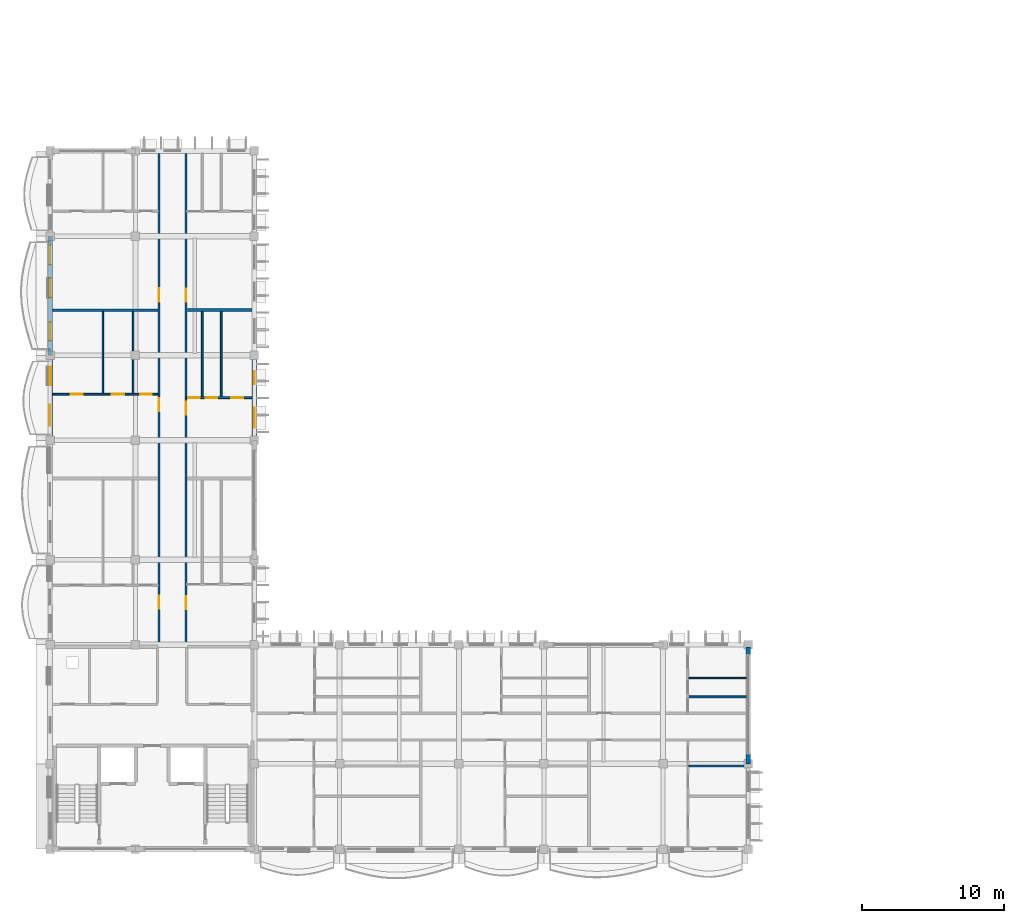
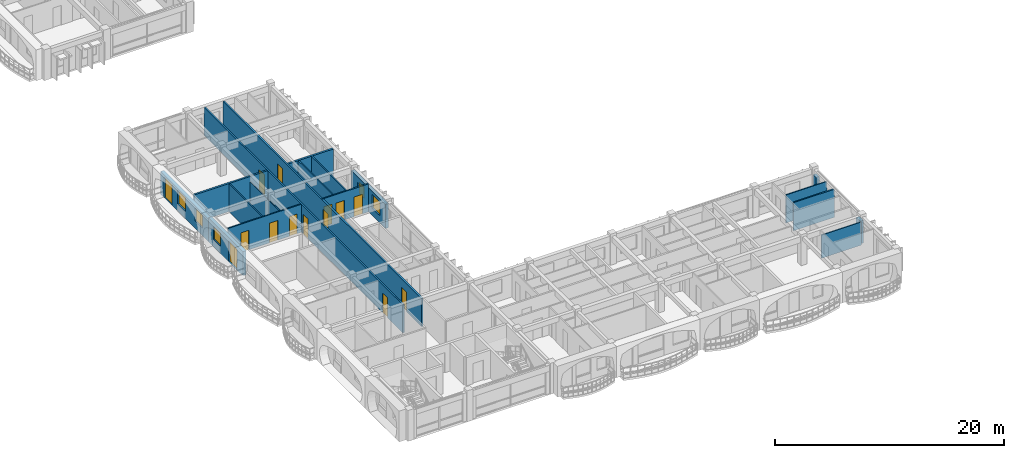
# One storey, part 29 of 79: 18 walls, 14 doors, 5 windows, 19 openings.
"""IFC4 building model written with IfcOpenShell, lengths in metres."""

from ifc_helpers import new_model, si_unit, direction, frame, frame_2d, origin, place, context, subcontext, project, spatial, rectangle, extrude, material, layer, layer_set, type_object, element, fill, save


model = new_model("IFC4")

# Units and contexts
model_context = context("Model", 3, precision=1e-05, world=origin(), true_north=direction((0.0, 1.0)))
body_context = subcontext(model_context, "Body", "Model", "MODEL_VIEW")
ifc_project = project(units=[si_unit("LENGTHUNIT", "METRE"), si_unit("AREAUNIT", "SQUARE_METRE"), si_unit("VOLUMEUNIT", "CUBIC_METRE"), si_unit("PLANEANGLEUNIT", "RADIAN"), si_unit("MASSUNIT", "GRAM", prefix="KILO"), si_unit("THERMODYNAMICTEMPERATUREUNIT", "KELVIN")], contexts=[model_context])

# Site, building, storey
site_placement = place(None, origin())
site = spatial("IfcSite", under=ifc_project, at=site_placement, CompositionType="ELEMENT")
building_placement = place(site_placement, origin())
building = spatial("IfcBuilding", under=site, at=building_placement, Name="Thalorik Housing Commons", CompositionType="ELEMENT")
storey_placement = place(building_placement, frame((0.0, 0.0, 11.39990234375)))
storey = spatial("IfcBuildingStorey", under=building, at=storey_placement, Name="L03", CompositionType="ELEMENT", Elevation=11.39990234375)

# Wall, openings, doors
ifc_material_1 = material(Name="Masonry fire-rated corridor wall", Category="masonry")
ifc_layer_1 = layer(ifc_material_1, 0.14990234375, Name="Masonry fire-rated corridor wall", Category="masonry")
ifc_layer_set_1 = layer_set([ifc_layer_1], Name="Masonry fire-rated corridor wall")
wall_type_1 = type_object("IfcWallType", Name="ARC-WAL-CORR-150", PredefinedType="PARTITIONING", material=ifc_layer_set_1)
wall_1_placement = place(storey_placement, frame((16.080078125, 22.659912109375, 0.0), z_axis=(0.0, 0.0, 1.0), x_axis=(0.0, 1.0, 0.0)))
wall_1 = element("IfcWall", 1, at=wall_1_placement, inside=storey, type_object=wall_type_1, Name="L03 Block C W Corridor Wall 1", PredefinedType="PARTITIONING", context=body_context, shape_type="SweptSolid", body=[
    extrude(rectangle(XDim=34.7705078125, YDim=0.14990234375, at=frame_2d((17.38525390625, 0.0))), origin(), (0.0, 0.0, 1.0), 3.0),
])
opening_1_placement = place(wall_1_placement, frame((2.671630859375, 0.0, 0.0)))
opening_1 = element("IfcOpeningElement", 2, at=opening_1_placement, cuts=wall_1, Name="Opening ID-1668", PredefinedType="OPENING", context=body_context, shape_type="SweptSolid", body=[
    extrude(rectangle(XDim=0.919921875, YDim=2.10009765625, at=frame_2d((0.4599609375, 1.050048828125))), frame((0.0, 0.0849609375, 0.0), z_axis=(0.0, -1.0, 0.0), x_axis=(1.0, 0.0, 0.0)), (0.0, 0.0, 1.0), 0.169921875),
])
opening_2_placement = place(wall_1_placement, frame((16.580078125, 0.0, 0.0)))
opening_2 = element("IfcOpeningElement", 3, at=opening_2_placement, cuts=wall_1, Name="Opening ID-1669", PredefinedType="OPENING", context=body_context, shape_type="SweptSolid", body=[
    extrude(rectangle(XDim=0.919921875, YDim=2.10009765625, at=frame_2d((0.4599609375, 1.050048828125))), frame((0.0, 0.0849609375, 0.0), z_axis=(0.0, -1.0, 0.0), x_axis=(1.0, 0.0, 0.0)), (0.0, 0.0, 1.0), 0.169921875),
])
opening_3_placement = place(wall_1_placement, frame((24.31494140625, 0.0, 0.0)))
opening_3 = element("IfcOpeningElement", 4, at=opening_3_placement, cuts=wall_1, Name="Opening ID-1670", PredefinedType="OPENING", context=body_context, shape_type="SweptSolid", body=[
    extrude(rectangle(XDim=0.9599609375, YDim=2.1201171875, at=frame_2d((0.47998046875, 1.06005859375))), frame((0.0, 0.0849609375, 0.0), z_axis=(0.0, -1.0, 0.0), x_axis=(1.0, 0.0, 0.0)), (0.0, 0.0, 1.0), 0.169921875),
])
ifc_material_2 = material(Name="Solid core hardwood timber", Category="wood")
door_type_1 = type_object("IfcDoorType", Name="ARC-DR-FD30-920", OperationType="NOTDEFINED", PredefinedType="DOOR", material=ifc_material_2)
door_1_placement = place(opening_1_placement, origin())
door_1 = element("IfcDoor", 5, at=door_1_placement, inside=storey, type_object=door_type_1, Name="L03 Flat CW-1A Entrance Door", OperationType="SINGLE_SWING_LEFT", OverallHeight=2.10009765625, OverallWidth=0.919921875, PredefinedType="DOOR", context=body_context, shape_type="SweptSolid", body=[
    extrude(rectangle(XDim=0.919921875, YDim=2.10009765625, at=frame_2d((0.4599609375, 1.050048828125))), frame((0.0, 0.02490234375, 0.0), z_axis=(0.0, -1.0, 0.0), x_axis=(1.0, 0.0, 0.0)), (0.0, 0.0, 1.0), 0.050048828125),
])
fill(opening_1, door_1)
door_2_placement = place(opening_2_placement, origin())
door_2 = element("IfcDoor", 6, at=door_2_placement, inside=storey, type_object=door_type_1, Name="L03 Flat CW-2A Entrance Door", OperationType="SINGLE_SWING_RIGHT", OverallHeight=2.10009765625, OverallWidth=0.919921875, PredefinedType="DOOR", context=body_context, shape_type="SweptSolid", body=[
    extrude(rectangle(XDim=0.919921875, YDim=2.10009765625, at=frame_2d((0.4599609375, 1.050048828125))), frame((0.0, 0.02490234375, 0.0), z_axis=(0.0, -1.0, 0.0), x_axis=(1.0, 0.0, 0.0)), (0.0, 0.0, 1.0), 0.050048828125),
])
fill(opening_2, door_2)
door_type_2 = type_object("IfcDoorType", Name="ARC-DR-FD30-960", OperationType="NOTDEFINED", PredefinedType="DOOR", material=ifc_material_2)
door_3_placement = place(opening_3_placement, origin())
door_3 = element("IfcDoor", 7, at=door_3_placement, inside=storey, type_object=door_type_2, Name="L03 Flat CW-3A Entrance Door", OperationType="SINGLE_SWING_LEFT", OverallHeight=2.1201171875, OverallWidth=0.9599609375, PredefinedType="DOOR", context=body_context, shape_type="SweptSolid", body=[
    extrude(rectangle(XDim=0.9599609375, YDim=2.1201171875, at=frame_2d((0.47998046875, 1.06005859375))), frame((0.0, 0.02490234375, 0.0), z_axis=(0.0, -1.0, 0.0), x_axis=(1.0, 0.0, 0.0)), (0.0, 0.0, 1.0), 0.050048828125),
])
fill(opening_3, door_3)

ifc_layer_2 = layer(ifc_material_1, 0.1650390625, Name="Masonry fire-rated corridor wall", Category="masonry")
ifc_layer_set_2 = layer_set([ifc_layer_2], Name="Masonry fire-rated corridor wall")
wall_type_2 = type_object("IfcWallType", Name="ARC-WAL-CORR-165", PredefinedType="PARTITIONING", material=ifc_layer_set_2)
wall_2_placement = place(storey_placement, frame((17.97998046875, 22.659912109375, 0.0), z_axis=(0.0, 0.0, 1.0), x_axis=(0.0, 1.0, 0.0)))
wall_2 = element("IfcWall", 8, at=wall_2_placement, inside=storey, type_object=wall_type_2, Name="L03 Block C W Corridor Wall 2", PredefinedType="PARTITIONING", context=body_context, shape_type="SweptSolid", body=[
    extrude(rectangle(XDim=34.7705078125, YDim=0.1650390625, at=frame_2d((17.38525390625, 0.0))), origin(), (0.0, 0.0, 1.0), 3.0),
])
opening_4_placement = place(wall_2_placement, frame((2.6328125, 0.0, 0.0)))
opening_4 = element("IfcOpeningElement", 9, at=opening_4_placement, cuts=wall_2, Name="Opening ID-1671", PredefinedType="OPENING", context=body_context, shape_type="SweptSolid", body=[
    extrude(rectangle(XDim=0.919921875, YDim=2.10009765625, at=frame_2d((0.4599609375, 1.050048828125))), frame((0.0, 0.092529296875, 0.0), z_axis=(0.0, -1.0, 0.0), x_axis=(1.0, 0.0, 0.0)), (0.0, 0.0, 1.0), 0.18505859375),
])
opening_5_placement = place(wall_2_placement, frame((16.3427734375, 0.0, 0.0)))
opening_5 = element("IfcOpeningElement", 10, at=opening_5_placement, cuts=wall_2, Name="Opening ID-1672", PredefinedType="OPENING", context=body_context, shape_type="SweptSolid", body=[
    extrude(rectangle(XDim=0.919921875, YDim=2.10009765625, at=frame_2d((0.4599609375, 1.050048828125))), frame((0.0, 0.092529296875, 0.0), z_axis=(0.0, -1.0, 0.0), x_axis=(1.0, 0.0, 0.0)), (0.0, 0.0, 1.0), 0.18505859375),
])
opening_6_placement = place(wall_2_placement, frame((24.3134765625, 0.0, 0.0)))
opening_6 = element("IfcOpeningElement", 11, at=opening_6_placement, cuts=wall_2, Name="Opening ID-1673", PredefinedType="OPENING", context=body_context, shape_type="SweptSolid", body=[
    extrude(rectangle(XDim=0.919921875, YDim=2.10009765625, at=frame_2d((0.4599609375, 1.050048828125))), frame((0.0, 0.092529296875, 0.0), z_axis=(0.0, -1.0, 0.0), x_axis=(1.0, 0.0, 0.0)), (0.0, 0.0, 1.0), 0.18505859375),
])
door_4_placement = place(opening_4_placement, origin())
door_4 = element("IfcDoor", 12, at=door_4_placement, inside=storey, type_object=door_type_1, Name="L03 Flat CW-1B Entrance Door", OperationType="SINGLE_SWING_RIGHT", OverallHeight=2.10009765625, OverallWidth=0.919921875, PredefinedType="DOOR", context=body_context, shape_type="SweptSolid", body=[
    extrude(rectangle(XDim=0.919921875, YDim=2.10009765625, at=frame_2d((0.4599609375, 1.050048828125))), frame((0.0, 0.02490234375, 0.0), z_axis=(0.0, -1.0, 0.0), x_axis=(1.0, 0.0, 0.0)), (0.0, 0.0, 1.0), 0.050048828125),
])
fill(opening_4, door_4)
door_5_placement = place(opening_5_placement, origin())
door_5 = element("IfcDoor", 13, at=door_5_placement, inside=storey, type_object=door_type_1, Name="L03 Flat CW-2B Entrance Door", OperationType="SINGLE_SWING_LEFT", OverallHeight=2.10009765625, OverallWidth=0.919921875, PredefinedType="DOOR", context=body_context, shape_type="SweptSolid", body=[
    extrude(rectangle(XDim=0.919921875, YDim=2.10009765625, at=frame_2d((0.4599609375, 1.050048828125))), frame((0.0, 0.02490234375, 0.0), z_axis=(0.0, -1.0, 0.0), x_axis=(1.0, 0.0, 0.0)), (0.0, 0.0, 1.0), 0.050048828125),
])
fill(opening_5, door_5)
door_6_placement = place(opening_6_placement, origin())
door_6 = element("IfcDoor", 14, at=door_6_placement, inside=storey, type_object=door_type_1, Name="L03 Flat CW-3B Entrance Door", OperationType="SINGLE_SWING_RIGHT", OverallHeight=2.10009765625, OverallWidth=0.919921875, PredefinedType="DOOR", context=body_context, shape_type="SweptSolid", body=[
    extrude(rectangle(XDim=0.919921875, YDim=2.10009765625, at=frame_2d((0.4599609375, 1.050048828125))), frame((0.0, 0.02490234375, 0.0), z_axis=(0.0, -1.0, 0.0), x_axis=(1.0, 0.0, 0.0)), (0.0, 0.0, 1.0), 0.050048828125),
])
fill(opening_6, door_6)

# Wall, openings, windows
ifc_material_3 = material(Name="White precast concrete C40/50", Category="concrete")
ifc_layer_3 = layer(ifc_material_3, 0.3349609375, Name="White precast concrete C40/50", Category="concrete")
ifc_layer_set_3 = layer_set([ifc_layer_3], Name="White precast concrete C40/50")
wall_type_3 = type_object("IfcWallType", Name="ARC-WAL-EXT-335", PredefinedType="STANDARD", material=ifc_layer_set_3)
wall_3_placement = place(storey_placement, frame((22.800048828125, 37.199951171875, 0.0), z_axis=(0.0, 0.0, 1.0), x_axis=(0.0, 1.0, 0.0)))
wall_3 = element("IfcWall", 15, at=wall_3_placement, inside=storey, type_object=wall_type_3, Name="L03 Exterior Wall WAL-EXT-L03-C-0907", PredefinedType="STANDARD", context=body_context, shape_type="SweptSolid", body=[
    extrude(rectangle(XDim=6.0, YDim=0.3349609375, at=frame_2d((3.0, 0.0))), origin(), (0.0, 0.0, 1.0), 2.5751953125),
])
opening_7_placement = place(wall_3_placement, frame((0.9013671875, 0.0, 0.780029296875)))
opening_7 = element("IfcOpeningElement", 16, at=opening_7_placement, cuts=wall_3, Name="Opening W-08", PredefinedType="OPENING", context=body_context, shape_type="SweptSolid", body=[
    extrude(rectangle(XDim=1.39990234375, YDim=1.449951171875, at=frame_2d((0.699951171875, 0.72509765625))), frame((0.0, 0.177490234375, 0.0), z_axis=(0.0, -1.0, 0.0), x_axis=(1.0, 0.0, 0.0)), (0.0, 0.0, 1.0), 0.35498046875),
])
opening_8_placement = place(wall_3_placement, frame((3.96142578125, 0.0, 0.780029296875)))
opening_8 = element("IfcOpeningElement", 17, at=opening_8_placement, cuts=wall_3, Name="Opening W-01", PredefinedType="OPENING", context=body_context, shape_type="SweptSolid", body=[
    extrude(rectangle(XDim=0.89990234375, YDim=1.199951171875, at=frame_2d((0.449951171875, 0.60009765625))), frame((0.0, 0.177490234375, 0.0), z_axis=(0.0, -1.0, 0.0), x_axis=(1.0, 0.0, 0.0)), (0.0, 0.0, 1.0), 0.35498046875),
])
ifc_material_4 = material(Name="Anodised aluminium and solar-control low-E glass", Category="aluminium")
window_type_1 = type_object("IfcWindowType", Name="ARC-WIN-01", PartitioningType="SINGLE_PANEL", PredefinedType="WINDOW", material=ifc_material_4)
window_1_placement = place(opening_8_placement, origin())
window_1 = element("IfcWindow", 18, at=window_1_placement, inside=storey, type_object=window_type_1, Name="L03 Facade Window 1678", OverallHeight=1.199951171875, OverallWidth=0.89990234375, PartitioningType="SINGLE_PANEL", PredefinedType="WINDOW", context=body_context, shape_type="SweptSolid", body=[
    extrude(rectangle(XDim=0.89990234375, YDim=1.199951171875, at=frame_2d((0.449951171875, 0.60009765625))), frame((0.0, 0.030029296875, 0.0), z_axis=(0.0, -1.0, 0.0), x_axis=(1.0, 0.0, 0.0)), (0.0, 0.0, 1.0), 0.06005859375),
])
fill(opening_8, window_1)
window_type_2 = type_object("IfcWindowType", Name="ARC-WIN-08", PartitioningType="SINGLE_PANEL", PredefinedType="WINDOW", material=ifc_material_4)
window_2_placement = place(opening_7_placement, origin())
window_2 = element("IfcWindow", 19, at=window_2_placement, inside=storey, type_object=window_type_2, Name="L03 Facade Window 1677", OverallHeight=1.449951171875, OverallWidth=1.39990234375, PartitioningType="SINGLE_PANEL", PredefinedType="WINDOW", context=body_context, shape_type="SweptSolid", body=[
    extrude(rectangle(XDim=1.39990234375, YDim=1.449951171875, at=frame_2d((0.699951171875, 0.72509765625))), frame((0.0, 0.030029296875, 0.0), z_axis=(0.0, -1.0, 0.0), x_axis=(1.0, 0.0, 0.0)), (0.0, 0.0, 1.0), 0.06005859375),
])
fill(opening_7, window_2)

# Wall, openings, door, windows
wall_4_placement = place(storey_placement, frame((8.39990234375, 51.60009765625, 0.0), z_axis=(0.0, 0.0, 1.0), x_axis=(0.0, -1.0, 0.0)))
wall_4 = element("IfcWall", 20, at=wall_4_placement, inside=storey, type_object=wall_type_3, Name="L03 Exterior Wall WAL-EXT-L03-C-0913", PredefinedType="STANDARD", context=body_context, shape_type="SweptSolid", body=[
    extrude(rectangle(XDim=8.400146484375, YDim=0.3349609375, at=frame_2d((4.2001953125, 0.0))), origin(), (0.0, 0.0, 1.0), 2.425048828125),
])
opening_9_placement = place(wall_4_placement, frame((0.6201171875, 0.0, 0.0)))
opening_9 = element("IfcOpeningElement", 21, at=opening_9_placement, cuts=wall_4, Name="Opening ED-0299", PredefinedType="OPENING", context=body_context, shape_type="SweptSolid", body=[
    extrude(rectangle(XDim=1.39990234375, YDim=2.199951171875, at=frame_2d((0.699951171875, 1.10009765625))), frame((0.0, 0.177490234375, 0.0), z_axis=(0.0, -1.0, 0.0), x_axis=(1.0, 0.0, 0.0)), (0.0, 0.0, 1.0), 0.35498046875),
])
opening_10_placement = place(wall_4_placement, frame((2.955078125, 0.0, 0.780029296875)))
opening_10 = element("IfcOpeningElement", 22, at=opening_10_placement, cuts=wall_4, Name="Opening W-49", PredefinedType="OPENING", context=body_context, shape_type="SweptSolid", body=[
    extrude(rectangle(XDim=1.3798828125, YDim=1.47998046875, at=frame_2d((0.68994140625, 0.739990234375))), frame((0.0, 0.177490234375, 0.0), z_axis=(0.0, -1.0, 0.0), x_axis=(1.0, 0.0, 0.0)), (0.0, 0.0, 1.0), 0.35498046875),
])
opening_11_placement = place(wall_4_placement, frame((6.06494140625, 0.0, 0.780029296875)))
opening_11 = element("IfcOpeningElement", 23, at=opening_11_placement, cuts=wall_4, Name="Opening W-06", PredefinedType="OPENING", context=body_context, shape_type="SweptSolid", body=[
    extrude(rectangle(XDim=1.300048828125, YDim=1.39990234375, at=frame_2d((0.64990234375, 0.699951171875))), frame((0.0, 0.177490234375, 0.0), z_axis=(0.0, -1.0, 0.0), x_axis=(1.0, 0.0, 0.0)), (0.0, 0.0, 1.0), 0.35498046875),
])
ifc_material_5 = material(Name="Anodised aluminium and laminated safety glass", Category="aluminium")
door_type_3 = type_object("IfcDoorType", Name="ARC-DR-BAL-1400", OperationType="NOTDEFINED", PredefinedType="DOOR", material=ifc_material_5)
door_7_placement = place(opening_9_placement, frame((1.39990234375, 0.0, 0.0), z_axis=(0.0, 0.0, 1.0), x_axis=(-1.0, 0.0, 0.0)))
door_7 = element("IfcDoor", 24, at=door_7_placement, inside=storey, type_object=door_type_3, Name="L03 Block C Balcony Glazed Door", OperationType="SLIDING_TO_LEFT", OverallHeight=2.199951171875, OverallWidth=1.39990234375, PredefinedType="DOOR", context=body_context, shape_type="SweptSolid", body=[
    extrude(rectangle(XDim=1.39990234375, YDim=2.199951171875, at=frame_2d((0.699951171875, 1.10009765625))), frame((0.0, 0.02490234375, 0.0), z_axis=(0.0, -1.0, 0.0), x_axis=(1.0, 0.0, 0.0)), (0.0, 0.0, 1.0), 0.050048828125),
])
fill(opening_9, door_7)
window_type_3 = type_object("IfcWindowType", Name="ARC-WIN-06", PartitioningType="SINGLE_PANEL", PredefinedType="WINDOW", material=ifc_material_4)
window_3_placement = place(opening_11_placement, origin())
window_3 = element("IfcWindow", 25, at=window_3_placement, inside=storey, type_object=window_type_3, Name="L03 Facade Window 1690", OverallHeight=1.39990234375, OverallWidth=1.300048828125, PartitioningType="SINGLE_PANEL", PredefinedType="WINDOW", context=body_context, shape_type="SweptSolid", body=[
    extrude(rectangle(XDim=1.300048828125, YDim=1.39990234375, at=frame_2d((0.64990234375, 0.699951171875))), frame((0.0, 0.030029296875, 0.0), z_axis=(0.0, -1.0, 0.0), x_axis=(1.0, 0.0, 0.0)), (0.0, 0.0, 1.0), 0.06005859375),
])
fill(opening_11, window_3)
window_type_4 = type_object("IfcWindowType", Name="ARC-WIN-49", PartitioningType="SINGLE_PANEL", PredefinedType="WINDOW", material=ifc_material_4)
window_4_placement = place(opening_10_placement, origin())
window_4 = element("IfcWindow", 26, at=window_4_placement, inside=storey, type_object=window_type_4, Name="L03 Facade Window 1689", OverallHeight=1.47998046875, OverallWidth=1.3798828125, PartitioningType="SINGLE_PANEL", PredefinedType="WINDOW", context=body_context, shape_type="SweptSolid", body=[
    extrude(rectangle(XDim=1.3798828125, YDim=1.47998046875, at=frame_2d((0.68994140625, 0.739990234375))), frame((0.0, 0.030029296875, 0.0), z_axis=(0.0, -1.0, 0.0), x_axis=(1.0, 0.0, 0.0)), (0.0, 0.0, 1.0), 0.06005859375),
])
fill(opening_10, window_4)

# Wall, openings, door, window
wall_5_placement = place(storey_placement, frame((8.39990234375, 43.199951171875, 0.0), z_axis=(0.0, 0.0, 1.0), x_axis=(0.0, -1.0, 0.0)))
wall_5 = element("IfcWall", 27, at=wall_5_placement, inside=storey, type_object=wall_type_3, Name="L03 Exterior Wall WAL-EXT-L03-C-0914", PredefinedType="STANDARD", context=body_context, shape_type="SweptSolid", body=[
    extrude(rectangle(XDim=6.0, YDim=0.3349609375, at=frame_2d((3.0, 0.0))), origin(), (0.0, 0.0, 1.0), 2.5751953125),
])
opening_12_placement = place(wall_5_placement, frame((3.47998046875, 0.0, 0.0)))
opening_12 = element("IfcOpeningElement", 28, at=opening_12_placement, cuts=wall_5, Name="Opening ED-0300", PredefinedType="OPENING", context=body_context, shape_type="SweptSolid", body=[
    extrude(rectangle(XDim=1.5, YDim=2.199951171875, at=frame_2d((0.75, 1.10009765625))), frame((0.0, 0.177490234375, 0.0), z_axis=(0.0, -1.0, 0.0), x_axis=(1.0, 0.0, 0.0)), (0.0, 0.0, 1.0), 0.35498046875),
])
opening_13_placement = place(wall_5_placement, frame((0.820068359375, 0.0, 0.780029296875)))
opening_13 = element("IfcOpeningElement", 29, at=opening_13_placement, cuts=wall_5, Name="Opening W-06", PredefinedType="OPENING", context=body_context, shape_type="SweptSolid", body=[
    extrude(rectangle(XDim=1.300048828125, YDim=1.39990234375, at=frame_2d((0.64990234375, 0.699951171875))), frame((0.0, 0.177490234375, 0.0), z_axis=(0.0, -1.0, 0.0), x_axis=(1.0, 0.0, 0.0)), (0.0, 0.0, 1.0), 0.35498046875),
])
door_type_4 = type_object("IfcDoorType", Name="ARC-DR-BAL-1500", OperationType="NOTDEFINED", PredefinedType="DOOR", material=ifc_material_5)
door_8_placement = place(opening_12_placement, frame((1.5, 0.0, 0.0), z_axis=(0.0, 0.0, 1.0), x_axis=(-1.0, 0.0, 0.0)))
door_8 = element("IfcDoor", 30, at=door_8_placement, inside=storey, type_object=door_type_4, Name="L03 Block C Balcony Glazed Door", OperationType="SLIDING_TO_RIGHT", OverallHeight=2.199951171875, OverallWidth=1.5, PredefinedType="DOOR", context=body_context, shape_type="SweptSolid", body=[
    extrude(rectangle(XDim=1.5, YDim=2.199951171875, at=frame_2d((0.75, 1.10009765625))), frame((0.0, 0.02490234375, 0.0), z_axis=(0.0, -1.0, 0.0), x_axis=(1.0, 0.0, 0.0)), (0.0, 0.0, 1.0), 0.050048828125),
])
fill(opening_12, door_8)
window_5_placement = place(opening_13_placement, origin())
window_5 = element("IfcWindow", 31, at=window_5_placement, inside=storey, type_object=window_type_3, Name="L03 Facade Window 1691", OverallHeight=1.39990234375, OverallWidth=1.300048828125, PartitioningType="SINGLE_PANEL", PredefinedType="WINDOW", context=body_context, shape_type="SweptSolid", body=[
    extrude(rectangle(XDim=1.300048828125, YDim=1.39990234375, at=frame_2d((0.64990234375, 0.699951171875))), frame((0.0, 0.030029296875, 0.0), z_axis=(0.0, -1.0, 0.0), x_axis=(1.0, 0.0, 0.0)), (0.0, 0.0, 1.0), 0.06005859375),
])
fill(opening_13, window_5)

# Walls
wall_6_placement = place(storey_placement, frame((57.60009765625, 14.39990234375, 0.0), z_axis=(0.0, 0.0, 1.0), x_axis=(0.0, 1.0, 0.0)))
element("IfcWall", 32, at=wall_6_placement, inside=storey, type_object=wall_type_3, Name="L03 Exterior Wall WAL-PIERL-L03-C-0927", PredefinedType="STANDARD", context=body_context, shape_type="SweptSolid", body=[
    extrude(rectangle(XDim=0.7001953125, YDim=0.3349609375, at=frame_2d((0.35009765625, 0.0))), origin(), (0.0, 0.0, 1.0), 2.425048828125),
])
wall_7_placement = place(storey_placement, frame((57.60009765625, 22.10009765625, 0.0), z_axis=(0.0, 0.0, 1.0), x_axis=(0.0, 1.0, 0.0)))
element("IfcWall", 33, at=wall_7_placement, inside=storey, type_object=wall_type_3, Name="L03 Exterior Wall WAL-PIERR-L03-C-0927", PredefinedType="STANDARD", context=body_context, shape_type="SweptSolid", body=[
    extrude(rectangle(XDim=0.530517578125, YDim=0.3349609375, at=frame_2d((0.26513671875, 0.0))), origin(), (0.0, 0.0, 1.0), 2.425048828125),
])
ifc_material_6 = material(Name="Gypsum light stud partition", Category="masonry")
ifc_layer_4 = layer(ifc_material_6, 0.10009765625, Name="Gypsum light stud partition", Category="masonry")
ifc_layer_set_4 = layer_set([ifc_layer_4], Name="Gypsum light stud partition")
wall_type_4 = type_object("IfcWallType", Name="ARC-WAL-PART-100", PredefinedType="PARTITIONING", material=ifc_layer_set_4)
wall_8_placement = place(storey_placement, frame((14.251220703125, 40.514404296875, 0.0), z_axis=(0.0, 0.0, 1.0), x_axis=(0.0, 1.0, 0.0)))
element("IfcWall", 34, at=wall_8_placement, inside=storey, type_object=wall_type_4, Name="L03 Unit 2 Wet Wall", PredefinedType="PARTITIONING", context=body_context, shape_type="SweptSolid", body=[
    extrude(rectangle(XDim=5.77099609375, YDim=0.10009765625, at=frame_2d((2.885498046875, 0.0))), origin(), (0.0, 0.0, 1.0), 2.425048828125),
])
wall_9_placement = place(storey_placement, frame((53.396240234375, 20.455078125, 0.0), z_axis=(0.0, 0.0, 1.0), x_axis=(1.0, 0.0, 0.0)))
element("IfcWall", 35, at=wall_9_placement, inside=storey, type_object=wall_type_4, Name="L03 Unit 3B Bedroom Partition", PredefinedType="PARTITIONING", context=body_context, shape_type="SweptSolid", body=[
    extrude(rectangle(XDim=4.143798828125, YDim=0.10009765625, at=frame_2d((2.07177734375, 0.0))), origin(), (0.0, 0.0, 1.0), 3.0),
])
ifc_material_7 = material(Name="Gypsum moisture-resistant partition", Category="masonry")
ifc_layer_5 = layer(ifc_material_7, 0.114990234375, Name="Gypsum moisture-resistant partition", Category="masonry")
ifc_layer_set_5 = layer_set([ifc_layer_5], Name="Gypsum moisture-resistant partition")
wall_type_5 = type_object("IfcWallType", Name="ARC-WAL-PART-115", PredefinedType="PARTITIONING", material=ifc_layer_set_5)
wall_10_placement = place(storey_placement, frame((12.11767578125, 40.514404296875, 0.0), z_axis=(0.0, 0.0, 1.0), x_axis=(0.0, 1.0, 0.0)))
element("IfcWall", 36, at=wall_10_placement, inside=storey, type_object=wall_type_5, Name="L03 Unit 2 Bedroom Partition", PredefinedType="PARTITIONING", context=body_context, shape_type="SweptSolid", body=[
    extrude(rectangle(XDim=5.77099609375, YDim=0.114990234375, at=frame_2d((2.885498046875, 0.0))), origin(), (0.0, 0.0, 1.0), 3.0),
])
wall_11_placement = place(storey_placement, frame((19.122314453125, 40.284912109375, 0.0), z_axis=(0.0, 0.0, 1.0), x_axis=(0.0, 1.0, 0.0)))
element("IfcWall", 37, at=wall_11_placement, inside=storey, type_object=wall_type_5, Name="L03 Unit 2B Wet Wall", PredefinedType="PARTITIONING", context=body_context, shape_type="SweptSolid", body=[
    extrude(rectangle(XDim=5.9931640625, YDim=0.114990234375, at=frame_2d((2.99658203125, 0.0))), origin(), (0.0, 0.0, 1.0), 3.0),
])

# Wall, openings, doors
ifc_material_8 = material(Name="Gypsum acoustic stud partition", Category="masonry")
ifc_layer_6 = layer(ifc_material_8, 0.125, Name="Gypsum acoustic stud partition", Category="masonry")
ifc_layer_set_6 = layer_set([ifc_layer_6], Name="Gypsum acoustic stud partition")
wall_type_6 = type_object("IfcWallType", Name="ARC-WAL-PART-125", PredefinedType="PARTITIONING", material=ifc_layer_set_6)
wall_12_placement = place(storey_placement, frame((8.569580078125, 40.449951171875, 0.0), z_axis=(0.0, 0.0, 1.0), x_axis=(1.0, 0.0, 0.0)))
wall_12 = element("IfcWall", 38, at=wall_12_placement, inside=storey, type_object=wall_type_6, Name="L03 Unit 2 Spine Partition", PredefinedType="PARTITIONING", context=body_context, shape_type="SweptSolid", body=[
    extrude(rectangle(XDim=7.433349609375, YDim=0.125, at=frame_2d((3.716796875, 0.0))), origin(), (0.0, 0.0, 1.0), 3.0),
])
opening_14_placement = place(wall_12_placement, frame((1.294189453125, 0.0, 0.0)))
opening_14 = element("IfcOpeningElement", 39, at=opening_14_placement, cuts=wall_12, Name="Opening ID-1656", PredefinedType="OPENING", context=body_context, shape_type="SweptSolid", body=[
    extrude(rectangle(XDim=0.820068359375, YDim=2.080078125, at=frame_2d((0.41015625, 1.0400390625))), frame((0.0, 0.072509765625, 0.0), z_axis=(0.0, -1.0, 0.0), x_axis=(1.0, 0.0, 0.0)), (0.0, 0.0, 1.0), 0.14501953125),
])
opening_15_placement = place(wall_12_placement, frame((4.18994140625, 0.0, 0.0)))
opening_15 = element("IfcOpeningElement", 40, at=opening_15_placement, cuts=wall_12, Name="Opening ID-1657", PredefinedType="OPENING", context=body_context, shape_type="SweptSolid", body=[
    extrude(rectangle(XDim=0.85009765625, YDim=2.10009765625, at=frame_2d((0.425048828125, 1.050048828125))), frame((0.0, 0.072509765625, 0.0), z_axis=(0.0, -1.0, 0.0), x_axis=(1.0, 0.0, 0.0)), (0.0, 0.0, 1.0), 0.14501953125),
])
opening_16_placement = place(wall_12_placement, frame((6.196044921875, 0.0, 0.0)))
opening_16 = element("IfcOpeningElement", 41, at=opening_16_placement, cuts=wall_12, Name="Opening ID-1658", PredefinedType="OPENING", context=body_context, shape_type="SweptSolid", body=[
    extrude(rectangle(XDim=0.800048828125, YDim=2.10009765625, at=frame_2d((0.39990234375, 1.050048828125))), frame((0.0, 0.072509765625, 0.0), z_axis=(0.0, -1.0, 0.0), x_axis=(1.0, 0.0, 0.0)), (0.0, 0.0, 1.0), 0.14501953125),
])
ifc_material_9 = material(Name="Moisture-resistant timber", Category="wood")
door_type_5 = type_object("IfcDoorType", Name="ARC-DR-INT-800", OperationType="NOTDEFINED", PredefinedType="DOOR", material=ifc_material_9)
door_9_placement = place(opening_16_placement, origin())
door_9 = element("IfcDoor", 42, at=door_9_placement, inside=storey, type_object=door_type_5, Name="L03 Flat Bathroom Door", OperationType="SINGLE_SWING_LEFT", OverallHeight=2.10009765625, OverallWidth=0.800048828125, PredefinedType="DOOR", context=body_context, shape_type="SweptSolid", body=[
    extrude(rectangle(XDim=0.800048828125, YDim=2.10009765625, at=frame_2d((0.39990234375, 1.050048828125))), frame((0.0, 0.02490234375, 0.0), z_axis=(0.0, -1.0, 0.0), x_axis=(1.0, 0.0, 0.0)), (0.0, 0.0, 1.0), 0.050048828125),
])
fill(opening_16, door_9)
ifc_material_10 = material(Name="Engineered oak timber", Category="wood")
door_type_6 = type_object("IfcDoorType", Name="ARC-DR-INT-820", OperationType="NOTDEFINED", PredefinedType="DOOR", material=ifc_material_10)
door_10_placement = place(opening_14_placement, origin())
door_10 = element("IfcDoor", 43, at=door_10_placement, inside=storey, type_object=door_type_6, Name="L03 Master Bedroom Door", OperationType="SINGLE_SWING_LEFT", OverallHeight=2.080078125, OverallWidth=0.820068359375, PredefinedType="DOOR", context=body_context, shape_type="SweptSolid", body=[
    extrude(rectangle(XDim=0.820068359375, YDim=2.080078125, at=frame_2d((0.41015625, 1.0400390625))), frame((0.0, 0.02490234375, 0.0), z_axis=(0.0, -1.0, 0.0), x_axis=(1.0, 0.0, 0.0)), (0.0, 0.0, 1.0), 0.050048828125),
])
fill(opening_14, door_10)
door_type_7 = type_object("IfcDoorType", Name="ARC-DR-INT-850", OperationType="NOTDEFINED", PredefinedType="DOOR", material=ifc_material_10)
door_11_placement = place(opening_15_placement, origin())
door_11 = element("IfcDoor", 44, at=door_11_placement, inside=storey, type_object=door_type_7, Name="L03 Eat-In Kitchen Door", OperationType="SINGLE_SWING_RIGHT", OverallHeight=2.10009765625, OverallWidth=0.85009765625, PredefinedType="DOOR", context=body_context, shape_type="SweptSolid", body=[
    extrude(rectangle(XDim=0.85009765625, YDim=2.10009765625, at=frame_2d((0.425048828125, 1.050048828125))), frame((0.0, 0.02490234375, 0.0), z_axis=(0.0, -1.0, 0.0), x_axis=(1.0, 0.0, 0.0)), (0.0, 0.0, 1.0), 0.050048828125),
])
fill(opening_15, door_11)

# Walls
wall_13_placement = place(storey_placement, frame((20.455078125, 40.284912109375, 0.0), z_axis=(0.0, 0.0, 1.0), x_axis=(0.0, 1.0, 0.0)))
element("IfcWall", 45, at=wall_13_placement, inside=storey, type_object=wall_type_6, Name="L03 Unit 2B Bedroom Partition", PredefinedType="PARTITIONING", context=body_context, shape_type="SweptSolid", body=[
    extrude(rectangle(XDim=5.9931640625, YDim=0.125, at=frame_2d((2.99658203125, 0.0))), origin(), (0.0, 0.0, 1.0), 3.0),
])
wall_14_placement = place(storey_placement, frame((53.412109375, 14.251220703125, 0.0), z_axis=(0.0, 0.0, 1.0), x_axis=(1.0, 0.0, 0.0)))
element("IfcWall", 46, at=wall_14_placement, inside=storey, type_object=wall_type_6, Name="L03 Unit 3 Wet Wall", PredefinedType="PARTITIONING", context=body_context, shape_type="SweptSolid", body=[
    extrude(rectangle(XDim=4.018310546875, YDim=0.125, at=frame_2d((2.00927734375, 0.0))), origin(), (0.0, 0.0, 1.0), 2.47509765625),
])

# Wall, openings, doors
ifc_material_11 = material(Name="Ceramic masonry partition wall", Category="masonry")
ifc_layer_7 = layer(ifc_material_11, 0.139892578125, Name="Ceramic masonry partition wall", Category="masonry")
ifc_layer_set_7 = layer_set([ifc_layer_7], Name="Ceramic masonry partition wall")
wall_type_7 = type_object("IfcWallType", Name="ARC-WAL-PART-140", PredefinedType="PARTITIONING", material=ifc_layer_set_7)
wall_15_placement = place(storey_placement, frame((17.97998046875, 40.212890625, 0.0), z_axis=(0.0, 0.0, 1.0), x_axis=(1.0, 0.0, 0.0)))
wall_15 = element("IfcWall", 47, at=wall_15_placement, inside=storey, type_object=wall_type_7, Name="L03 Unit 2B Spine Partition", PredefinedType="PARTITIONING", context=body_context, shape_type="SweptSolid", body=[
    extrude(rectangle(XDim=4.650634765625, YDim=0.139892578125, at=frame_2d((2.3251953125, 0.0))), origin(), (0.0, 0.0, 1.0), 3.0),
])
opening_17_placement = place(wall_15_placement, frame((0.171142578125, 0.0, 0.0)))
opening_17 = element("IfcOpeningElement", 48, at=opening_17_placement, cuts=wall_15, Name="Opening ID-1659", PredefinedType="OPENING", context=body_context, shape_type="SweptSolid", body=[
    extrude(rectangle(XDim=0.800048828125, YDim=2.10009765625, at=frame_2d((0.39990234375, 1.050048828125))), frame((0.0, 0.080078125, 0.0), z_axis=(0.0, -1.0, 0.0), x_axis=(1.0, 0.0, 0.0)), (0.0, 0.0, 1.0), 0.159912109375),
])
opening_18_placement = place(wall_15_placement, frame((1.3837890625, 0.0, 0.0)))
opening_18 = element("IfcOpeningElement", 49, at=opening_18_placement, cuts=wall_15, Name="Opening ID-1660", PredefinedType="OPENING", context=body_context, shape_type="SweptSolid", body=[
    extrude(rectangle(XDim=0.820068359375, YDim=2.080078125, at=frame_2d((0.41015625, 1.0400390625))), frame((0.0, 0.080078125, 0.0), z_axis=(0.0, -1.0, 0.0), x_axis=(1.0, 0.0, 0.0)), (0.0, 0.0, 1.0), 0.159912109375),
])
opening_19_placement = place(wall_15_placement, frame((3.192626953125, 0.0, 0.0)))
opening_19 = element("IfcOpeningElement", 50, at=opening_19_placement, cuts=wall_15, Name="Opening ID-1661", PredefinedType="OPENING", context=body_context, shape_type="SweptSolid", body=[
    extrude(rectangle(XDim=0.85009765625, YDim=2.10009765625, at=frame_2d((0.425048828125, 1.050048828125))), frame((0.0, 0.080078125, 0.0), z_axis=(0.0, -1.0, 0.0), x_axis=(1.0, 0.0, 0.0)), (0.0, 0.0, 1.0), 0.159912109375),
])
door_12_placement = place(opening_17_placement, origin())
door_12 = element("IfcDoor", 51, at=door_12_placement, inside=storey, type_object=door_type_5, Name="L03 Flat Bathroom Door", OperationType="SINGLE_SWING_RIGHT", OverallHeight=2.10009765625, OverallWidth=0.800048828125, PredefinedType="DOOR", context=body_context, shape_type="SweptSolid", body=[
    extrude(rectangle(XDim=0.800048828125, YDim=2.10009765625, at=frame_2d((0.39990234375, 1.050048828125))), frame((0.0, 0.02490234375, 0.0), z_axis=(0.0, -1.0, 0.0), x_axis=(1.0, 0.0, 0.0)), (0.0, 0.0, 1.0), 0.050048828125),
])
fill(opening_17, door_12)
door_13_placement = place(opening_18_placement, origin())
door_13 = element("IfcDoor", 52, at=door_13_placement, inside=storey, type_object=door_type_6, Name="L03 Galley Kitchen Door", OperationType="SINGLE_SWING_LEFT", OverallHeight=2.080078125, OverallWidth=0.820068359375, PredefinedType="DOOR", context=body_context, shape_type="SweptSolid", body=[
    extrude(rectangle(XDim=0.820068359375, YDim=2.080078125, at=frame_2d((0.41015625, 1.0400390625))), frame((0.0, 0.02490234375, 0.0), z_axis=(0.0, -1.0, 0.0), x_axis=(1.0, 0.0, 0.0)), (0.0, 0.0, 1.0), 0.050048828125),
])
fill(opening_18, door_13)
door_14_placement = place(opening_19_placement, origin())
door_14 = element("IfcDoor", 53, at=door_14_placement, inside=storey, type_object=door_type_7, Name="L03 Single Bedroom Door", OperationType="SINGLE_SWING_RIGHT", OverallHeight=2.10009765625, OverallWidth=0.85009765625, PredefinedType="DOOR", context=body_context, shape_type="SweptSolid", body=[
    extrude(rectangle(XDim=0.85009765625, YDim=2.10009765625, at=frame_2d((0.425048828125, 1.050048828125))), frame((0.0, 0.02490234375, 0.0), z_axis=(0.0, -1.0, 0.0), x_axis=(1.0, 0.0, 0.0)), (0.0, 0.0, 1.0), 0.050048828125),
])
fill(opening_19, door_14)

# Walls
wall_16_placement = place(storey_placement, frame((53.396240234375, 19.122314453125, 0.0), z_axis=(0.0, 0.0, 1.0), x_axis=(1.0, 0.0, 0.0)))
element("IfcWall", 54, at=wall_16_placement, inside=storey, type_object=wall_type_7, Name="L03 Unit 3B Wet Wall", PredefinedType="PARTITIONING", context=body_context, shape_type="SweptSolid", body=[
    extrude(rectangle(XDim=4.143798828125, YDim=0.139892578125, at=frame_2d((2.07177734375, 0.0))), origin(), (0.0, 0.0, 1.0), 3.0),
])
ifc_material_12 = material(Name="Masonry acoustic blockwork wall", Category="masonry")
ifc_layer_8 = layer(ifc_material_12, 0.18505859375, Name="Masonry acoustic blockwork wall", Category="masonry")
ifc_layer_set_8 = layer_set([ifc_layer_8], Name="Masonry acoustic blockwork wall")
wall_type_8 = type_object("IfcWallType", Name="ARC-WAL-PARTY-185", PredefinedType="PARTITIONING", material=ifc_layer_set_8)
wall_17_placement = place(storey_placement, frame((8.569580078125, 46.3798828125, 0.0), z_axis=(0.0, 0.0, 1.0), x_axis=(1.0, 0.0, 0.0)))
element("IfcWall", 55, at=wall_17_placement, inside=storey, type_object=wall_type_8, Name="L03 Inter-Tenancy Wall 2A", PredefinedType="PARTITIONING", context=body_context, shape_type="SweptSolid", body=[
    extrude(rectangle(XDim=7.433349609375, YDim=0.18505859375, at=frame_2d((3.716796875, 0.0))), origin(), (0.0, 0.0, 1.0), 3.0),
])
ifc_material_13 = material(Name="Precast concrete C40/50 acoustic wall", Category="concrete")
ifc_layer_9 = layer(ifc_material_13, 0.199951171875, Name="Precast concrete C40/50 acoustic wall", Category="concrete")
ifc_layer_set_9 = layer_set([ifc_layer_9], Name="Precast concrete C40/50 acoustic wall")
wall_type_9 = type_object("IfcWallType", Name="ARC-WAL-PARTY-200", PredefinedType="PARTITIONING", material=ifc_layer_set_9)
wall_18_placement = place(storey_placement, frame((18.064453125, 46.3798828125, 0.0), z_axis=(0.0, 0.0, 1.0), x_axis=(1.0, 0.0, 0.0)))
element("IfcWall", 56, at=wall_18_placement, inside=storey, type_object=wall_type_9, Name="L03 Inter-Tenancy Wall 2B", PredefinedType="PARTITIONING", context=body_context, shape_type="SweptSolid", body=[
    extrude(rectangle(XDim=4.566162109375, YDim=0.199951171875, at=frame_2d((2.283203125, 0.0))), origin(), (0.0, 0.0, 1.0), 3.0),
])

save(model, "model.ifc")
